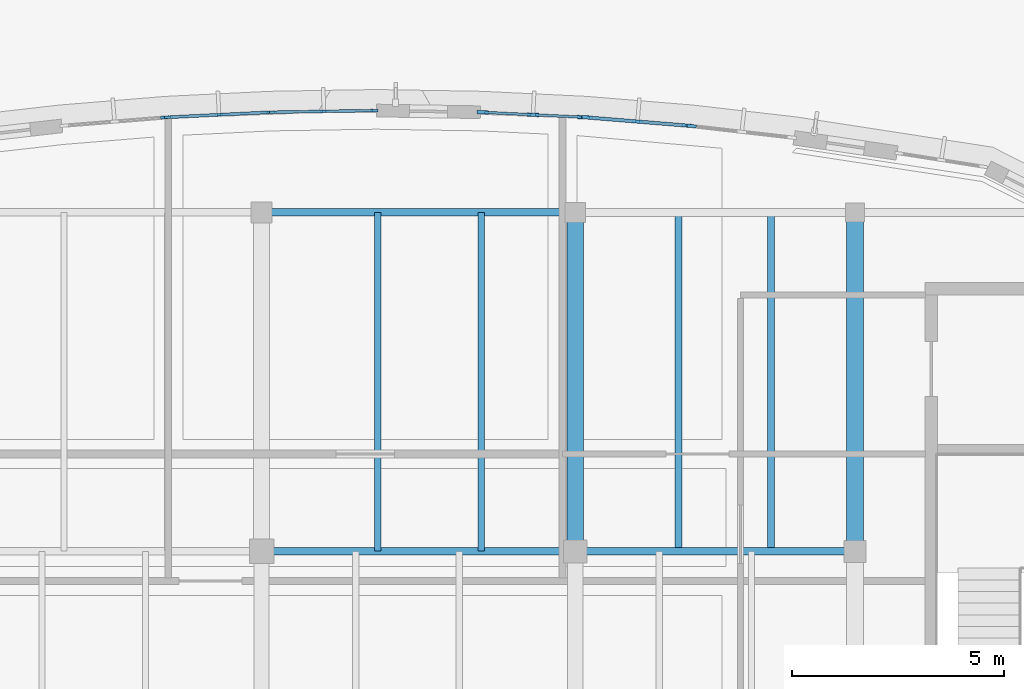
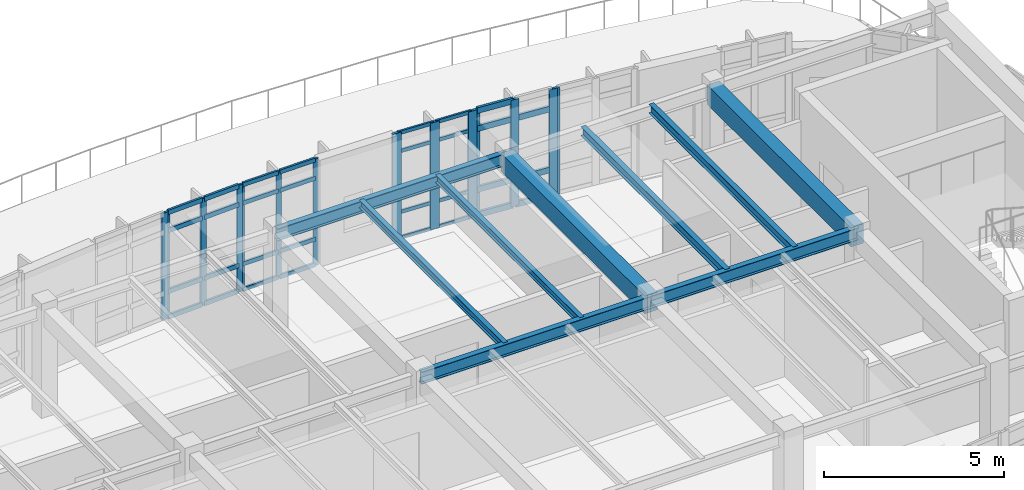
# One storey, part 31 of 111: 45 members, 9 beams, 6 elements without a shape of their own.
"""IFC4 building model written with IfcOpenShell, lengths in metres."""

import ifcopenshell
import ifcopenshell.guid

model = None  # the IFC model being written
_history = None  # IfcOwnerHistory: only IFC2X3 demands one
_inside = {}  # id of a spatial element -> (the spatial element, [elements in it])
_under = {}  # id of a project, library or spatial element -> (it, [spatial elements below it])
_declared = {}  # id of a project -> (the project, [libraries it declares])
_typed = {}  # id of a type object -> (the type object, [elements of that type])
_made_of = {}  # id of a material, layer set ... -> (it, [elements and type objects made of it])


def new_model(schema):
    """Start an empty IFC model of exactly this schema.

    Asked for "IFC4X3", IfcOpenShell would pick the latest addendum, in which some entities
    have other attributes; the version numbers below select the first issue.
    IFC2X3 requires an IfcOwnerHistory on every rooted entity: one is made here for all.
    """
    global model, _history
    if schema == "IFC4X3":
        model = ifcopenshell.file(schema_version=(4, 3, 0, 0))
    else:
        model = ifcopenshell.file(schema=schema)
    _inside.clear()
    _under.clear()
    _declared.clear()
    _typed.clear()
    _made_of.clear()
    _history = None
    if model.schema == "IFC2X3":
        org = make("IfcOrganization", Name="unknown")
        user = make(
            "IfcPersonAndOrganization",
            ThePerson=make("IfcPerson", FamilyName="unknown"),
            TheOrganization=org,
        )
        app = make(
            "IfcApplication",
            ApplicationDeveloper=org,
            Version="unknown",
            ApplicationFullName="unknown",
            ApplicationIdentifier="unknown",
        )
        _history = make(
            "IfcOwnerHistory",
            OwningUser=user,
            OwningApplication=app,
            ChangeAction="ADDED",
            CreationDate=0,
        )
    return model


def make(cls, **values):
    """One entity of the class cls with the attributes given. An attribute that is None is left unset."""
    return model.create_entity(
        cls, **{name: value for name, value in values.items() if value is not None}
    )


def rooted(cls, **values):
    """An entity with a GlobalId (a new one), such as an element, a storey or a relation."""
    return make(cls, GlobalId=ifcopenshell.guid.new(), OwnerHistory=_history, **values)


def si_unit(unit_type, name, prefix=None):
    """IfcSIUnit, for example si_unit("LENGTHUNIT", "METRE", prefix="MILLI")."""
    return make("IfcSIUnit", UnitType=unit_type, Prefix=prefix, Name=name)


def assignment(units):
    """IfcUnitAssignment: the units of a project."""
    return None if units is None else make("IfcUnitAssignment", Units=units)


def point(xyz):
    """IfcCartesianPoint."""
    return None if xyz is None else make("IfcCartesianPoint", Coordinates=xyz)


def direction(xyz):
    """IfcDirection."""
    return None if xyz is None else make("IfcDirection", DirectionRatios=xyz)


def frame(location, z_axis=None, x_axis=None):
    """IfcAxis2Placement3D, a coordinate frame: its origin and axes. An axis left out is left unset."""
    return make(
        "IfcAxis2Placement3D",
        Location=point(location),
        Axis=direction(z_axis),
        RefDirection=direction(x_axis),
    )


def frame_2d(location, x_axis=None):
    """IfcAxis2Placement2D, a coordinate frame in the plane: its origin and x axis."""
    return make(
        "IfcAxis2Placement2D", Location=point(location), RefDirection=direction(x_axis)
    )


def origin():
    """The frame at (0, 0, 0) with its axes left unset."""
    return frame((0.0, 0.0, 0.0))


def origin_2d():
    """The frame at (0, 0) in the plane with its x axis left unset."""
    return frame_2d((0.0, 0.0))


def place(relative_to, where):
    """IfcLocalPlacement: puts the frame where relative to a parent placement (None: the world)."""
    return make(
        "IfcLocalPlacement", PlacementRelTo=relative_to, RelativePlacement=where
    )


def context(
    kind, dimensions, precision=None, world=None, true_north=None, identifier=None
):
    """IfcGeometricRepresentationContext, for example the 3D "Model" context."""
    return make(
        "IfcGeometricRepresentationContext",
        ContextIdentifier=identifier,
        ContextType=kind,
        CoordinateSpaceDimension=dimensions,
        Precision=precision,
        WorldCoordinateSystem=world,
        TrueNorth=true_north,
    )


def subcontext(parent, identifier, kind, view, scale=None):
    """IfcGeometricRepresentationSubContext, for example "Body" below "Model"."""
    return make(
        "IfcGeometricRepresentationSubContext",
        ContextIdentifier=identifier,
        ContextType=kind,
        ParentContext=parent,
        TargetScale=scale,
        TargetView=view,
    )


def project(units=None, contexts=None):
    """IfcProject with its units and contexts."""
    return rooted(
        "IfcProject",
        Name="project",
        RepresentationContexts=contexts,
        UnitsInContext=assignment(units),
    )


def spatial(cls, under=None, at=None, **own):
    """A site, building, storey or space (cls), placed at a placement, below another one or the project."""
    s = rooted(cls, ObjectPlacement=at, **own)
    if under is not None:
        _under.setdefault(under.id(), (under, []))[1].append(s)
    return s


def profile(cls, at=None, kind="AREA", **sizes):
    """A parametric profile (cls). Its sizes go by their IFC names, for example OverallWidth=200.0."""
    return make(cls, ProfileType=kind, Position=at, **sizes)


def rectangle(**sizes):
    """IfcRectangleProfileDef."""
    return profile("IfcRectangleProfileDef", **sizes)


def i_section(**sizes):
    """IfcIShapeProfileDef."""
    return profile("IfcIShapeProfileDef", **sizes)


def extrude(swept, where, along, depth):
    """IfcExtrudedAreaSolid: the profile swept, set in the frame where, extruded along a direction by depth."""
    return make(
        "IfcExtrudedAreaSolid",
        SweptArea=swept,
        Position=where,
        ExtrudedDirection=direction(along),
        Depth=depth,
    )


def shape(context_of_items, identifier, shape_type, items):
    """IfcShapeRepresentation: the items that make up one representation, for example the "Body"."""
    return make(
        "IfcShapeRepresentation",
        ContextOfItems=context_of_items,
        RepresentationIdentifier=identifier,
        RepresentationType=shape_type,
        Items=items,
    )


def material(Name=None, Category=None):
    """IfcMaterial."""
    return make("IfcMaterial", Name=Name, Category=Category)


def material_profile(
    of_material, cross_section, Name=None, Category=None, Priority=None
):
    """IfcMaterialProfile: a cross section and its material."""
    return make(
        "IfcMaterialProfile",
        Name=Name,
        Material=of_material,
        Profile=cross_section,
        Priority=Priority,
        Category=Category,
    )


def profile_set(profiles, Name=None, composite=None):
    """IfcMaterialProfileSet."""
    return make(
        "IfcMaterialProfileSet",
        Name=Name,
        MaterialProfiles=profiles,
        CompositeProfile=composite,
    )


def made_of(thing, what):
    """Note that an element or type object is made of a material, layer set ...; save() writes the relation."""
    if what is not None:
        _made_of.setdefault(what.id(), (what, []))[1].append(thing)
    return thing


def type_object(cls, material=None, **own):
    """A type object (cls), such as IfcWallType, which elements share."""
    return made_of(rooted(cls, **own), material)


def element(
    cls,
    number,
    at=None,
    inside=None,
    cuts=None,
    type_object=None,
    material=None,
    context=None,
    identifier="Body",
    shape_type=None,
    held_by="IfcProductDefinitionShape",
    body=None,
    shapes=None,
    **own,
):
    """One element of the class cls, such as IfcWall. Its Tag is "e" and its number.

    at: its placement. inside: the storey or other place that contains it. cuts: it is an
    opening in that element (IfcRelVoidsElement). A single representation is given by context,
    identifier, shape_type and body (its items); several are given by shapes. held_by: the class
    of the entity that holds the representations. save() writes the other relations.
    """
    e = rooted(cls, Tag="e%d" % number, ObjectPlacement=at, **own)
    if body is not None:
        shapes = [shape(context, identifier, shape_type, body)]
    if shapes is not None:
        e.Representation = make(held_by, Representations=shapes)
    if inside is not None:
        _inside.setdefault(inside.id(), (inside, []))[1].append(e)
    if cuts is not None:
        rooted(
            "IfcRelVoidsElement", RelatingBuildingElement=cuts, RelatedOpeningElement=e
        )
    if type_object is not None:
        _typed.setdefault(type_object.id(), (type_object, []))[1].append(e)
    return made_of(e, material)


def aggregate(whole, parts):
    """IfcRelAggregates: a whole, such as a stair, and the parts it consists of."""
    return rooted("IfcRelAggregates", RelatingObject=whole, RelatedObjects=parts)


def save(model, path):
    """Write the relations noted so far, then the file.

    IfcRelAggregates (storeys below a building ...), IfcRelContainedInSpatialStructure (elements
    in a storey), IfcRelDefinesByType, IfcRelAssociatesMaterial and IfcRelDeclares: one each for
    every whole, place, type object, material and project.
    """
    for whole, parts in _under.values():
        aggregate(whole, parts)
    for where, things in _inside.values():
        rooted(
            "IfcRelContainedInSpatialStructure",
            RelatedElements=things,
            RelatingStructure=where,
        )
    for kind, things in _typed.values():
        rooted("IfcRelDefinesByType", RelatedObjects=things, RelatingType=kind)
    for what, things in _made_of.values():
        rooted("IfcRelAssociatesMaterial", RelatedObjects=things, RelatingMaterial=what)
    for by, libraries in _declared.values():
        rooted("IfcRelDeclares", RelatingContext=by, RelatedDefinitions=libraries)
    model.write(path)


model = new_model("IFC4")

# Units and contexts
model_context = context("Model", 3, precision=1e-05, world=origin(), true_north=direction((0.0, 1.0)))
body_context = subcontext(model_context, "Body", "Model", "MODEL_VIEW")
ifc_project = project(units=[si_unit("LENGTHUNIT", "METRE"), si_unit("AREAUNIT", "SQUARE_METRE"), si_unit("VOLUMEUNIT", "CUBIC_METRE"), si_unit("PLANEANGLEUNIT", "RADIAN"), si_unit("MASSUNIT", "GRAM", prefix="KILO")], contexts=[model_context])

# Site, building, storey
site_placement = place(None, origin())
site = spatial("IfcSite", under=ifc_project, at=site_placement, CompositionType="ELEMENT")
building_placement = place(site_placement, origin())
building = spatial("IfcBuilding", under=site, at=building_placement, Name="Corveleigh Park Community Centre", CompositionType="ELEMENT")
storey_placement = place(building_placement, frame((0.0, 0.0, 4.800048828125)))
storey = spatial("IfcBuildingStorey", under=building, at=storey_placement, Name="L01", CompositionType="ELEMENT", Elevation=4.800048828125)

# Beams
ifc_material_1 = material(Name="Concrete C40/50", Category="concrete")
ifc_material_profile_1 = material_profile(ifc_material_1, rectangle(XDim=0.39990234375, YDim=0.60009765625, at=origin_2d()), Name="RC-400x600", Category="concrete")
ifc_profile_set_1 = profile_set([ifc_material_profile_1], Name="Concrete C40/50")
beam_type_1 = type_object("IfcBeamType", Name="BM-RC-400x600", PredefinedType="BEAM", material=ifc_profile_set_1)
beam_1_placement = place(storey_placement, frame((94.199951171875, 18.804931640625, 3.35693359375), z_axis=(0.0, 1.0, 0.0), x_axis=(-1.0, 0.0, 0.0)))
element("IfcBeam", 1, at=beam_1_placement, inside=storey, type_object=beam_type_1, Name="V3 Girder Y", PredefinedType="BEAM", context=body_context, shape_type="SweptSolid", body=[
    extrude(rectangle(XDim=0.39990234375, YDim=0.60009765625, at=origin_2d()), origin(), (0.0, 0.0, 1.0), 7.989990234375),
])
ifc_material_profile_2 = material_profile(ifc_material_1, rectangle(XDim=0.39990234375, YDim=0.64990234375, at=origin_2d()), Name="RC-400x650", Category="concrete")
ifc_profile_set_2 = profile_set([ifc_material_profile_2], Name="Concrete C40/50")
beam_type_2 = type_object("IfcBeamType", Name="BM-RC-400x650", PredefinedType="BEAM", material=ifc_profile_set_2)
beam_2_placement = place(storey_placement, frame((100.800048828125, 18.804931640625, 3.33203125), z_axis=(0.0, 1.0, 0.0), x_axis=(-1.0, 0.0, 0.0)))
element("IfcBeam", 2, at=beam_2_placement, inside=storey, type_object=beam_type_2, Name="V3 Girder Y", PredefinedType="BEAM", context=body_context, shape_type="SweptSolid", body=[
    extrude(rectangle(XDim=0.39990234375, YDim=0.64990234375, at=origin_2d()), origin(), (0.0, 0.0, 1.0), 7.989990234375),
])
ifc_material_2 = material(Name="Steel S355", Category="steel")
ifc_material_profile_3 = material_profile(ifc_material_2, i_section(OverallWidth=0.147216796875, OverallDepth=0.259521484375, WebThickness=0.007080078125, FlangeThickness=0.0126953125, at=origin_2d()), Name="UKB 254x146x43", Category="steel")
ifc_profile_set_3 = profile_set([ifc_material_profile_3], Name="Steel S355")
beam_type_3 = type_object("IfcBeamType", Name="BM-STL-UKB254x43", PredefinedType="JOIST", material=ifc_profile_set_3)
for number, where, z_axis, x_axis, name in (
    (3, (89.5380859375, 18.804931640625, 3.527099609375), (0.0, 1.0, 0.0), (-1.0, 0.0, 0.0), "Secondary floor joist"),
    (4, (91.97998046875, 18.804931640625, 3.527099609375), (0.0, 1.0, 0.0), (-1.0, 0.0, 0.0), "Secondary floor joist"),
):
    element("IfcBeam", number, at=place(storey_placement, frame(where, z_axis=z_axis, x_axis=x_axis)), inside=storey, type_object=beam_type_3, Name=name, PredefinedType="JOIST", context=body_context, shape_type="SweptSolid", body=[
        extrude(i_section(OverallWidth=0.147216796875, OverallDepth=0.259521484375, WebThickness=0.007080078125, FlangeThickness=0.0126953125, at=origin_2d()), origin(), (0.0, 0.0, 1.0), 7.989990234375),
    ])
ifc_material_profile_4 = material_profile(ifc_material_2, i_section(OverallWidth=0.1650390625, OverallDepth=0.303466796875, WebThickness=0.006103515625, FlangeThickness=0.01025390625, at=origin_2d()), Name="UKB 305x165x40", Category="steel")
ifc_profile_set_4 = profile_set([ifc_material_profile_4], Name="Steel S355")
beam_type_4 = type_object("IfcBeamType", Name="BM-STL-UKB305x40", PredefinedType="JOIST", material=ifc_profile_set_4)
for number, where, z_axis, x_axis, name in (
    (5, (96.64208984375, 18.804931640625, 3.50537109375), (0.0, 1.0, 0.0), (-1.0, 0.0, 0.0), "Secondary floor joist"),
    (6, (98.820068359375, 18.804931640625, 3.50537109375), (0.0, 1.0, 0.0), (-1.0, 0.0, 0.0), "Secondary floor joist"),
):
    element("IfcBeam", number, at=place(storey_placement, frame(where, z_axis=z_axis, x_axis=x_axis)), inside=storey, type_object=beam_type_4, Name=name, PredefinedType="JOIST", context=body_context, shape_type="SweptSolid", body=[
        extrude(i_section(OverallWidth=0.1650390625, OverallDepth=0.303466796875, WebThickness=0.006103515625, FlangeThickness=0.01025390625, at=origin_2d()), origin(), (0.0, 0.0, 1.0), 7.989990234375),
    ])
ifc_material_profile_5 = material_profile(ifc_material_2, i_section(OverallWidth=0.1787109375, OverallDepth=0.409423828125, WebThickness=0.0087890625, FlangeThickness=0.014404296875, at=origin_2d()), Name="UKB 406x178x67", Category="steel")
ifc_profile_set_5 = profile_set([ifc_material_profile_5], Name="Steel S355")
beam_type_5 = type_object("IfcBeamType", Name="BM-STL-UKB406x67", PredefinedType="BEAM", material=ifc_profile_set_5)
beam_3_placement = place(storey_placement, frame((86.804931640625, 18.800048828125, 3.4521484375), z_axis=(1.0, 0.0, 0.0), x_axis=(0.0, 1.0, 0.0)))
element("IfcBeam", 7, at=beam_3_placement, inside=storey, type_object=beam_type_5, Name="V3 Girder X", PredefinedType="BEAM", context=body_context, shape_type="SweptSolid", body=[
    extrude(i_section(OverallWidth=0.1787109375, OverallDepth=0.409423828125, WebThickness=0.0087890625, FlangeThickness=0.014404296875, at=origin_2d()), origin(), (0.0, 0.0, 1.0), 7.39013671875),
])
ifc_material_profile_6 = material_profile(ifc_material_2, i_section(OverallWidth=0.179443359375, OverallDepth=0.412841796875, WebThickness=0.009521484375, FlangeThickness=0.01611328125, at=origin_2d()), Name="UKB 406x178x74", Category="steel")
ifc_profile_set_6 = profile_set([ifc_material_profile_6], Name="Steel S355")
beam_type_6 = type_object("IfcBeamType", Name="BM-STL-UKB406x74", PredefinedType="BEAM", material=ifc_profile_set_6)
beam_4_placement = place(storey_placement, frame((94.205078125, 18.800048828125, 3.450439453125), z_axis=(1.0, 0.0, 0.0), x_axis=(0.0, 1.0, 0.0)))
element("IfcBeam", 8, at=beam_4_placement, inside=storey, type_object=beam_type_6, Name="V3 Girder X", PredefinedType="BEAM", context=body_context, shape_type="SweptSolid", body=[
    extrude(i_section(OverallWidth=0.179443359375, OverallDepth=0.412841796875, WebThickness=0.009521484375, FlangeThickness=0.01611328125, at=origin_2d()), origin(), (0.0, 0.0, 1.0), 6.58984375),
])
beam_5_placement = place(storey_placement, frame((86.804931640625, 26.800048828125, 3.450439453125), z_axis=(1.0, 0.0, 0.0), x_axis=(0.0, 1.0, 0.0)))
element("IfcBeam", 9, at=beam_5_placement, inside=storey, type_object=beam_type_6, Name="V3 Girder X", PredefinedType="BEAM", context=body_context, shape_type="SweptSolid", body=[
    extrude(i_section(OverallWidth=0.179443359375, OverallDepth=0.412841796875, WebThickness=0.009521484375, FlangeThickness=0.01611328125, at=origin_2d()), origin(), (0.0, 0.0, 1.0), 7.39013671875),
])

# Curtain wall, members
ifc_material_3 = material(Name="Anodised aluminium 6063-T6", Category="aluminium")
curtain_wall_type = type_object("IfcCurtainWallType", Name="CW-SYS-V3-UPP", PredefinedType="NOTDEFINED", material=ifc_material_3)
curtain_wall_1_placement = place(storey_placement, origin())
curtain_wall_1 = element("IfcCurtainWall", 10, at=curtain_wall_1_placement, inside=storey, type_object=curtain_wall_type, Name="V3 L01 Curtain Wall 247", PredefinedType="NOTDEFINED")
ifc_material_profile_7 = material_profile(ifc_material_3, rectangle(XDim=0.06005859375, YDim=0.159912109375, at=origin_2d()), Name="ALU-M60x160", Category="aluminium")
ifc_profile_set_7 = profile_set([ifc_material_profile_7], Name="Anodised aluminium 6063-T6")
member_type_1 = type_object("IfcMemberType", Name="CWM-60x160", PredefinedType="MULLION", material=ifc_profile_set_7)
member_1_placement = place(storey_placement, frame((87.069091796875, 29.16357421875, 0.0), z_axis=(0.0, 0.0, 1.0), x_axis=(-0.016311043488, 0.999866966081, 0.0)))
member_1 = element("IfcMember", 11, at=member_1_placement, type_object=member_type_1, Name="CW06 mullion 1", PredefinedType="MULLION", context=body_context, shape_type="SweptSolid", body=[
    extrude(rectangle(XDim=0.06005859375, YDim=0.159912109375, at=origin_2d()), origin(), (0.0, 0.0, 1.0), 3.612060546875),
])
member_2_placement = place(storey_placement, frame((88.264892578125, 29.18310546875, 0.0), z_axis=(0.0, 0.0, 1.0), x_axis=(-0.016311043488, 0.999866966081, 0.0)))
member_2 = element("IfcMember", 12, at=member_2_placement, type_object=member_type_1, Name="CW06 mullion 2", PredefinedType="MULLION", context=body_context, shape_type="SweptSolid", body=[
    extrude(rectangle(XDim=0.06005859375, YDim=0.159912109375, at=origin_2d()), origin(), (0.0, 0.0, 1.0), 3.612060546875),
])
member_3_placement = place(storey_placement, frame((89.4609375, 29.202392578125, 0.0), z_axis=(0.0, 0.0, 1.0), x_axis=(-0.016311043488, 0.999866966081, 0.0)))
member_3 = element("IfcMember", 13, at=member_3_placement, type_object=member_type_1, Name="CW06 mullion 3", PredefinedType="MULLION", context=body_context, shape_type="SweptSolid", body=[
    extrude(rectangle(XDim=0.06005859375, YDim=0.159912109375, at=origin_2d()), origin(), (0.0, 0.0, 1.0), 3.612060546875),
])

curtain_wall_2_placement = place(storey_placement, origin())
curtain_wall_2 = element("IfcCurtainWall", 14, at=curtain_wall_2_placement, inside=storey, type_object=curtain_wall_type, Name="V3 L01 Curtain Wall 248", PredefinedType="NOTDEFINED")
ifc_material_profile_8 = material_profile(ifc_material_3, rectangle(XDim=0.06494140625, YDim=0.179931640625, at=origin_2d()), Name="ALU-M65x180", Category="aluminium")
ifc_profile_set_8 = profile_set([ifc_material_profile_8], Name="Anodised aluminium 6063-T6")
member_type_2 = type_object("IfcMemberType", Name="CWM-65x180", PredefinedType="MULLION", material=ifc_profile_set_8)
member_4_placement = place(storey_placement, frame((84.603515625, 29.044677734375, 0.0), z_axis=(0.0, 0.0, 1.0), x_axis=(-0.048920946301, 0.998802653687, 0.0)))
member_4 = element("IfcMember", 15, at=member_4_placement, type_object=member_type_2, Name="CW06 mullion 1", PredefinedType="MULLION", context=body_context, shape_type="SweptSolid", body=[
    extrude(rectangle(XDim=0.06494140625, YDim=0.179931640625, at=origin_2d()), origin(), (0.0, 0.0, 1.0), 3.612060546875),
])
member_5_placement = place(storey_placement, frame((85.7958984375, 29.10302734375, 0.0), z_axis=(0.0, 0.0, 1.0), x_axis=(-0.048920946301, 0.998802653687, 0.0)))
member_5 = element("IfcMember", 16, at=member_5_placement, type_object=member_type_2, Name="CW06 mullion 2", PredefinedType="MULLION", context=body_context, shape_type="SweptSolid", body=[
    extrude(rectangle(XDim=0.06494140625, YDim=0.179931640625, at=origin_2d()), origin(), (0.0, 0.0, 1.0), 3.612060546875),
])
member_6_placement = place(storey_placement, frame((86.988525390625, 29.161376953125, 0.0), z_axis=(0.0, 0.0, 1.0), x_axis=(-0.048920946301, 0.998802653687, 0.0)))
member_6 = element("IfcMember", 17, at=member_6_placement, type_object=member_type_2, Name="CW06 mullion 3", PredefinedType="MULLION", context=body_context, shape_type="SweptSolid", body=[
    extrude(rectangle(XDim=0.06494140625, YDim=0.179931640625, at=origin_2d()), origin(), (0.0, 0.0, 1.0), 3.612060546875),
])

# Curtain wall, member
curtain_wall_3_placement = place(storey_placement, origin())
curtain_wall_3 = element("IfcCurtainWall", 18, at=curtain_wall_3_placement, inside=storey, type_object=curtain_wall_type, Name="V3 L01 Curtain Wall 249", PredefinedType="NOTDEFINED")
ifc_material_profile_9 = material_profile(ifc_material_3, rectangle(XDim=0.070068359375, YDim=0.199951171875, at=origin_2d()), Name="ALU-M70x200", Category="aluminium")
ifc_profile_set_9 = profile_set([ifc_material_profile_9], Name="Anodised aluminium 6063-T6")
member_type_3 = type_object("IfcMemberType", Name="CWM-70x200", PredefinedType="MULLION", material=ifc_profile_set_9)
member_7_placement = place(storey_placement, frame((84.51806640625, 29.0390625, 0.0), z_axis=(0.0, 0.0, 1.0), x_axis=(-0.081122341986, 0.996704151507, 0.0)))
member_7 = element("IfcMember", 19, at=member_7_placement, type_object=member_type_3, Name="CW06 mullion 3", PredefinedType="MULLION", context=body_context, shape_type="SweptSolid", body=[
    extrude(rectangle(XDim=0.070068359375, YDim=0.199951171875, at=origin_2d()), origin(), (0.0, 0.0, 1.0), 3.612060546875),
])
aggregate(curtain_wall_3, [member_7])

curtain_wall_4_placement = place(storey_placement, origin())
curtain_wall_4 = element("IfcCurtainWall", 20, at=curtain_wall_4_placement, inside=storey, type_object=curtain_wall_type, Name="V3 L01 Curtain Wall 244", PredefinedType="NOTDEFINED")
ifc_material_profile_10 = material_profile(ifc_material_3, rectangle(XDim=0.074951171875, YDim=0.219970703125, at=origin_2d()), Name="ALU-M75x220", Category="aluminium")
ifc_profile_set_10 = profile_set([ifc_material_profile_10], Name="Anodised aluminium 6063-T6")
member_type_4 = type_object("IfcMemberType", Name="CWM-75x220", PredefinedType="MULLION", material=ifc_profile_set_10)
member_8_placement = place(storey_placement, frame((96.947265625, 28.836669921875, 0.0), z_axis=(0.0, 0.0, 1.0), x_axis=(0.113742050835, 0.99351031493, 0.0)))
member_8 = element("IfcMember", 21, at=member_8_placement, type_object=member_type_4, Name="CW06 mullion 1", PredefinedType="MULLION", context=body_context, shape_type="SweptSolid", body=[
    extrude(rectangle(XDim=0.074951171875, YDim=0.219970703125, at=origin_2d()), origin(), (0.0, 0.0, 1.0), 3.612060546875),
])
aggregate(curtain_wall_4, [member_8])

# Curtain wall, members
curtain_wall_5_placement = place(storey_placement, origin())
curtain_wall_5 = element("IfcCurtainWall", 22, at=curtain_wall_5_placement, inside=storey, type_object=curtain_wall_type, Name="V3 L01 Curtain Wall 245", PredefinedType="NOTDEFINED")
ifc_material_profile_11 = material_profile(ifc_material_3, rectangle(XDim=0.080078125, YDim=0.25, at=origin_2d()), Name="ALU-M80x250", Category="aluminium")
ifc_profile_set_11 = profile_set([ifc_material_profile_11], Name="Anodised aluminium 6063-T6")
member_type_5 = type_object("IfcMemberType", Name="CWM-80x250", PredefinedType="MULLION", material=ifc_profile_set_11)
member_9_placement = place(storey_placement, frame((94.48681640625, 29.038818359375, 0.0), z_axis=(0.0, 0.0, 1.0), x_axis=(0.081122341986, 0.996704151507, 0.0)))
member_9 = element("IfcMember", 23, at=member_9_placement, type_object=member_type_5, Name="CW06 mullion 1", PredefinedType="MULLION", context=body_context, shape_type="SweptSolid", body=[
    extrude(rectangle(XDim=0.080078125, YDim=0.25, at=origin_2d()), origin(), (0.0, 0.0, 1.0), 3.612060546875),
])
member_10_placement = place(storey_placement, frame((95.66943359375, 28.9423828125, 0.0), z_axis=(0.0, 0.0, 1.0), x_axis=(0.081122341986, 0.996704151507, 0.0)))
member_10 = element("IfcMember", 24, at=member_10_placement, type_object=member_type_5, Name="CW06 mullion 2", PredefinedType="MULLION", context=body_context, shape_type="SweptSolid", body=[
    extrude(rectangle(XDim=0.080078125, YDim=0.25, at=origin_2d()), origin(), (0.0, 0.0, 1.0), 3.612060546875),
])
member_11_placement = place(storey_placement, frame((96.85205078125, 28.84619140625, 0.0), z_axis=(0.0, 0.0, 1.0), x_axis=(0.081122341986, 0.996704151507, 0.0)))
member_11 = element("IfcMember", 25, at=member_11_placement, type_object=member_type_5, Name="CW06 mullion 3", PredefinedType="MULLION", context=body_context, shape_type="SweptSolid", body=[
    extrude(rectangle(XDim=0.080078125, YDim=0.25, at=origin_2d()), origin(), (0.0, 0.0, 1.0), 3.612060546875),
])

curtain_wall_6_placement = place(storey_placement, origin())
curtain_wall_6 = element("IfcCurtainWall", 26, at=curtain_wall_6_placement, inside=storey, type_object=curtain_wall_type, Name="V3 L01 Curtain Wall 246", PredefinedType="NOTDEFINED")
ifc_material_profile_12 = material_profile(ifc_material_3, rectangle(XDim=0.0849609375, YDim=0.27490234375, at=origin_2d()), Name="ALU-M85x275", Category="aluminium")
ifc_profile_set_12 = profile_set([ifc_material_profile_12], Name="Anodised aluminium 6063-T6")
member_type_6 = type_object("IfcMemberType", Name="CWM-85x275", PredefinedType="MULLION", material=ifc_profile_set_12)
member_12_placement = place(storey_placement, frame((92.021484375, 29.160888671875, 0.0), z_axis=(0.0, 0.0, 1.0), x_axis=(0.048920946301, 0.998802653687, 0.0)))
member_12 = element("IfcMember", 27, at=member_12_placement, type_object=member_type_6, Name="CW06 mullion 1", PredefinedType="MULLION", context=body_context, shape_type="SweptSolid", body=[
    extrude(rectangle(XDim=0.0849609375, YDim=0.27490234375, at=origin_2d()), origin(), (0.0, 0.0, 1.0), 3.612060546875),
])
member_13_placement = place(storey_placement, frame((93.2041015625, 29.10302734375, 0.0), z_axis=(0.0, 0.0, 1.0), x_axis=(0.048920946301, 0.998802653687, 0.0)))
member_13 = element("IfcMember", 28, at=member_13_placement, type_object=member_type_6, Name="CW06 mullion 2", PredefinedType="MULLION", context=body_context, shape_type="SweptSolid", body=[
    extrude(rectangle(XDim=0.0849609375, YDim=0.27490234375, at=origin_2d()), origin(), (0.0, 0.0, 1.0), 3.612060546875),
])
member_14_placement = place(storey_placement, frame((94.386474609375, 29.045166015625, 0.0), z_axis=(0.0, 0.0, 1.0), x_axis=(0.048920946301, 0.998802653687, 0.0)))
member_14 = element("IfcMember", 29, at=member_14_placement, type_object=member_type_6, Name="CW06 mullion 3", PredefinedType="MULLION", context=body_context, shape_type="SweptSolid", body=[
    extrude(rectangle(XDim=0.0849609375, YDim=0.27490234375, at=origin_2d()), origin(), (0.0, 0.0, 1.0), 3.612060546875),
])
ifc_material_profile_13 = material_profile(ifc_material_3, rectangle(XDim=0.06005859375, YDim=0.1201171875, at=origin_2d()), Name="ALU-T60x120", Category="aluminium")
ifc_profile_set_13 = profile_set([ifc_material_profile_13], Name="Anodised aluminium 6063-T6")
member_type_7 = type_object("IfcMemberType", Name="CWT-60x120", PredefinedType="USERDEFINED", material=ifc_profile_set_13)
member_15_placement = place(storey_placement, frame((92.06396484375, 29.158935546875, 0.030029296875), z_axis=(0.998794087459, -0.049095527876, 0.0), x_axis=(0.049095527876, 0.998794087459, 0.0)))
member_15 = element("IfcMember", 30, at=member_15_placement, type_object=member_type_7, Name="CW06 transom 1.1", ObjectType="TRANSOM", PredefinedType="USERDEFINED", context=body_context, shape_type="SweptSolid", body=[
    extrude(rectangle(XDim=0.06005859375, YDim=0.1201171875, at=origin_2d()), origin(), (0.0, 0.0, 1.0), 1.098876953125),
])
member_16_placement = place(storey_placement, frame((92.06396484375, 29.158935546875, 0.89990234375), z_axis=(0.998794087459, -0.049095527876, 0.0), x_axis=(0.049095527876, 0.998794087459, 0.0)))
member_16 = element("IfcMember", 31, at=member_16_placement, type_object=member_type_7, Name="CW06 transom 1.2", ObjectType="TRANSOM", PredefinedType="USERDEFINED", context=body_context, shape_type="SweptSolid", body=[
    extrude(rectangle(XDim=0.06005859375, YDim=0.1201171875, at=origin_2d()), origin(), (0.0, 0.0, 1.0), 1.098876953125),
])
member_17_placement = place(storey_placement, frame((92.06396484375, 29.158935546875, 2.9619140625), z_axis=(0.998794087459, -0.049095527876, 0.0), x_axis=(0.049095527876, 0.998794087459, 0.0)))
member_17 = element("IfcMember", 32, at=member_17_placement, type_object=member_type_7, Name="CW06 transom 1.3", ObjectType="TRANSOM", PredefinedType="USERDEFINED", context=body_context, shape_type="SweptSolid", body=[
    extrude(rectangle(XDim=0.06005859375, YDim=0.1201171875, at=origin_2d()), origin(), (0.0, 0.0, 1.0), 1.098876953125),
])
member_18_placement = place(storey_placement, frame((92.06396484375, 29.158935546875, 3.58203125), z_axis=(0.998794087459, -0.049095527876, 0.0), x_axis=(0.049095527876, 0.998794087459, 0.0)))
member_18 = element("IfcMember", 33, at=member_18_placement, type_object=member_type_7, Name="CW06 transom 1.4", ObjectType="TRANSOM", PredefinedType="USERDEFINED", context=body_context, shape_type="SweptSolid", body=[
    extrude(rectangle(XDim=0.06005859375, YDim=0.1201171875, at=origin_2d()), origin(), (0.0, 0.0, 1.0), 1.098876953125),
])
member_19_placement = place(storey_placement, frame((93.246337890625, 29.100830078125, 0.030029296875), z_axis=(0.998804956493, -0.048873908013, 0.0), x_axis=(0.048873908013, 0.998804956493, 0.0)))
member_19 = element("IfcMember", 34, at=member_19_placement, type_object=member_type_7, Name="CW06 transom 2.1", ObjectType="TRANSOM", PredefinedType="USERDEFINED", context=body_context, shape_type="SweptSolid", body=[
    extrude(rectangle(XDim=0.06005859375, YDim=0.1201171875, at=origin_2d()), origin(), (0.0, 0.0, 1.0), 1.098876953125),
])
member_20_placement = place(storey_placement, frame((93.246337890625, 29.100830078125, 0.89990234375), z_axis=(0.998804956493, -0.048873908013, 0.0), x_axis=(0.048873908013, 0.998804956493, 0.0)))
member_20 = element("IfcMember", 35, at=member_20_placement, type_object=member_type_7, Name="CW06 transom 2.2", ObjectType="TRANSOM", PredefinedType="USERDEFINED", context=body_context, shape_type="SweptSolid", body=[
    extrude(rectangle(XDim=0.06005859375, YDim=0.1201171875, at=origin_2d()), origin(), (0.0, 0.0, 1.0), 1.098876953125),
])
member_21_placement = place(storey_placement, frame((93.246337890625, 29.100830078125, 2.9619140625), z_axis=(0.998804956493, -0.048873908013, 0.0), x_axis=(0.048873908013, 0.998804956493, 0.0)))
member_21 = element("IfcMember", 36, at=member_21_placement, type_object=member_type_7, Name="CW06 transom 2.3", ObjectType="TRANSOM", PredefinedType="USERDEFINED", context=body_context, shape_type="SweptSolid", body=[
    extrude(rectangle(XDim=0.06005859375, YDim=0.1201171875, at=origin_2d()), origin(), (0.0, 0.0, 1.0), 1.098876953125),
])
member_22_placement = place(storey_placement, frame((93.246337890625, 29.100830078125, 3.58203125), z_axis=(0.998804956493, -0.048873908013, 0.0), x_axis=(0.048873908013, 0.998804956493, 0.0)))
member_22 = element("IfcMember", 37, at=member_22_placement, type_object=member_type_7, Name="CW06 transom 2.4", ObjectType="TRANSOM", PredefinedType="USERDEFINED", context=body_context, shape_type="SweptSolid", body=[
    extrude(rectangle(XDim=0.06005859375, YDim=0.1201171875, at=origin_2d()), origin(), (0.0, 0.0, 1.0), 1.098876953125),
])
aggregate(curtain_wall_6, [member_12, member_13, member_14, member_15, member_16, member_17, member_18, member_19, member_20, member_21, member_22])

# Member
ifc_material_profile_14 = material_profile(ifc_material_3, rectangle(XDim=0.06494140625, YDim=0.139892578125, at=origin_2d()), Name="ALU-T65x140", Category="aluminium")
ifc_profile_set_14 = profile_set([ifc_material_profile_14], Name="Anodised aluminium 6063-T6")
member_type_8 = type_object("IfcMemberType", Name="CWT-65x140", PredefinedType="USERDEFINED", material=ifc_profile_set_14)
member_23_placement = place(storey_placement, frame((87.098876953125, 29.1640625, 0.032470703125), z_axis=(0.99986669158, 0.016327861745, 0.0), x_axis=(-0.016327861745, 0.99986669158, 0.0)))
member_23 = element("IfcMember", 38, at=member_23_placement, type_object=member_type_8, Name="CW06 transom 1.1", ObjectType="TRANSOM", PredefinedType="USERDEFINED", context=body_context, shape_type="SweptSolid", body=[
    extrude(rectangle(XDim=0.06494140625, YDim=0.139892578125, at=origin_2d()), origin(), (0.0, 0.0, 1.0), 1.136474609375),
])

member_24_placement = place(storey_placement, frame((87.098876953125, 29.1640625, 0.89990234375), z_axis=(0.99986669158, 0.016327861745, 0.0), x_axis=(-0.016327861745, 0.99986669158, 0.0)))
member_24 = element("IfcMember", 39, at=member_24_placement, type_object=member_type_8, Name="CW06 transom 1.2", ObjectType="TRANSOM", PredefinedType="USERDEFINED", context=body_context, shape_type="SweptSolid", body=[
    extrude(rectangle(XDim=0.06494140625, YDim=0.139892578125, at=origin_2d()), origin(), (0.0, 0.0, 1.0), 1.136474609375),
])

member_25_placement = place(storey_placement, frame((87.098876953125, 29.1640625, 2.9619140625), z_axis=(0.99986669158, 0.016327861745, 0.0), x_axis=(-0.016327861745, 0.99986669158, 0.0)))
member_25 = element("IfcMember", 40, at=member_25_placement, type_object=member_type_8, Name="CW06 transom 1.3", ObjectType="TRANSOM", PredefinedType="USERDEFINED", context=body_context, shape_type="SweptSolid", body=[
    extrude(rectangle(XDim=0.06494140625, YDim=0.139892578125, at=origin_2d()), origin(), (0.0, 0.0, 1.0), 1.136474609375),
])

member_26_placement = place(storey_placement, frame((87.098876953125, 29.1640625, 3.579345703125), z_axis=(0.99986669158, 0.016327861745, 0.0), x_axis=(-0.016327861745, 0.99986669158, 0.0)))
member_26 = element("IfcMember", 41, at=member_26_placement, type_object=member_type_8, Name="CW06 transom 1.4", ObjectType="TRANSOM", PredefinedType="USERDEFINED", context=body_context, shape_type="SweptSolid", body=[
    extrude(rectangle(XDim=0.06494140625, YDim=0.139892578125, at=origin_2d()), origin(), (0.0, 0.0, 1.0), 1.136474609375),
])

member_27_placement = place(storey_placement, frame((88.294921875, 29.18359375, 0.032470703125), z_axis=(0.99987012014, 0.016116539654, 0.0), x_axis=(-0.016116539654, 0.99987012014, 0.0)))
member_27 = element("IfcMember", 42, at=member_27_placement, type_object=member_type_8, Name="CW06 transom 2.1", ObjectType="TRANSOM", PredefinedType="USERDEFINED", context=body_context, shape_type="SweptSolid", body=[
    extrude(rectangle(XDim=0.06494140625, YDim=0.139892578125, at=origin_2d()), origin(), (0.0, 0.0, 1.0), 1.13623046875),
])

member_28_placement = place(storey_placement, frame((88.294921875, 29.18359375, 0.89990234375), z_axis=(0.99987012014, 0.016116539654, 0.0), x_axis=(-0.016116539654, 0.99987012014, 0.0)))
member_28 = element("IfcMember", 43, at=member_28_placement, type_object=member_type_8, Name="CW06 transom 2.2", ObjectType="TRANSOM", PredefinedType="USERDEFINED", context=body_context, shape_type="SweptSolid", body=[
    extrude(rectangle(XDim=0.06494140625, YDim=0.139892578125, at=origin_2d()), origin(), (0.0, 0.0, 1.0), 1.13623046875),
])

member_29_placement = place(storey_placement, frame((88.294921875, 29.18359375, 2.9619140625), z_axis=(0.99987012014, 0.016116539654, 0.0), x_axis=(-0.016116539654, 0.99987012014, 0.0)))
member_29 = element("IfcMember", 44, at=member_29_placement, type_object=member_type_8, Name="CW06 transom 2.3", ObjectType="TRANSOM", PredefinedType="USERDEFINED", context=body_context, shape_type="SweptSolid", body=[
    extrude(rectangle(XDim=0.06494140625, YDim=0.139892578125, at=origin_2d()), origin(), (0.0, 0.0, 1.0), 1.13623046875),
])

member_30_placement = place(storey_placement, frame((88.294921875, 29.18359375, 3.579345703125), z_axis=(0.99987012014, 0.016116539654, 0.0), x_axis=(-0.016116539654, 0.99987012014, 0.0)))
member_30 = element("IfcMember", 45, at=member_30_placement, type_object=member_type_8, Name="CW06 transom 2.4", ObjectType="TRANSOM", PredefinedType="USERDEFINED", context=body_context, shape_type="SweptSolid", body=[
    extrude(rectangle(XDim=0.06494140625, YDim=0.139892578125, at=origin_2d()), origin(), (0.0, 0.0, 1.0), 1.13623046875),
])

aggregate(curtain_wall_1, [member_1, member_2, member_3, member_23, member_24, member_25, member_26, member_27, member_28, member_29, member_30])

ifc_material_profile_15 = material_profile(ifc_material_3, rectangle(XDim=0.070068359375, YDim=0.155029296875, at=origin_2d()), Name="ALU-T70x155", Category="aluminium")
ifc_profile_set_15 = profile_set([ifc_material_profile_15], Name="Anodised aluminium 6063-T6")
member_type_9 = type_object("IfcMemberType", Name="CWT-70x155", PredefinedType="USERDEFINED", material=ifc_profile_set_15)
member_31_placement = place(storey_placement, frame((84.635986328125, 29.046142578125, 0.034912109375), z_axis=(0.9988046371, 0.048880434817, 0.0), x_axis=(-0.048880434817, 0.9988046371, 0.0)))
member_31 = element("IfcMember", 46, at=member_31_placement, type_object=member_type_9, Name="CW06 transom 1.1", ObjectType="TRANSOM", PredefinedType="USERDEFINED", context=body_context, shape_type="SweptSolid", body=[
    extrude(rectangle(XDim=0.070068359375, YDim=0.155029296875, at=origin_2d()), origin(), (0.0, 0.0, 1.0), 1.12890625),
])

member_32_placement = place(storey_placement, frame((84.635986328125, 29.046142578125, 0.89990234375), z_axis=(0.9988046371, 0.048880434817, 0.0), x_axis=(-0.048880434817, 0.9988046371, 0.0)))
member_32 = element("IfcMember", 47, at=member_32_placement, type_object=member_type_9, Name="CW06 transom 1.2", ObjectType="TRANSOM", PredefinedType="USERDEFINED", context=body_context, shape_type="SweptSolid", body=[
    extrude(rectangle(XDim=0.070068359375, YDim=0.155029296875, at=origin_2d()), origin(), (0.0, 0.0, 1.0), 1.12890625),
])

member_33_placement = place(storey_placement, frame((84.635986328125, 29.046142578125, 2.9619140625), z_axis=(0.9988046371, 0.048880434817, 0.0), x_axis=(-0.048880434817, 0.9988046371, 0.0)))
member_33 = element("IfcMember", 48, at=member_33_placement, type_object=member_type_9, Name="CW06 transom 1.3", ObjectType="TRANSOM", PredefinedType="USERDEFINED", context=body_context, shape_type="SweptSolid", body=[
    extrude(rectangle(XDim=0.070068359375, YDim=0.155029296875, at=origin_2d()), origin(), (0.0, 0.0, 1.0), 1.12890625),
])

member_34_placement = place(storey_placement, frame((84.635986328125, 29.046142578125, 3.576904296875), z_axis=(0.9988046371, 0.048880434817, 0.0), x_axis=(-0.048880434817, 0.9988046371, 0.0)))
member_34 = element("IfcMember", 49, at=member_34_placement, type_object=member_type_9, Name="CW06 transom 1.4", ObjectType="TRANSOM", PredefinedType="USERDEFINED", context=body_context, shape_type="SweptSolid", body=[
    extrude(rectangle(XDim=0.070068359375, YDim=0.155029296875, at=origin_2d()), origin(), (0.0, 0.0, 1.0), 1.12890625),
])

member_35_placement = place(storey_placement, frame((85.828369140625, 29.1044921875, 0.034912109375), z_axis=(0.998794575601, 0.04908559616, 0.0), x_axis=(-0.04908559616, 0.998794575601, 0.0)))
member_35 = element("IfcMember", 50, at=member_35_placement, type_object=member_type_9, Name="CW06 transom 2.1", ObjectType="TRANSOM", PredefinedType="USERDEFINED", context=body_context, shape_type="SweptSolid", body=[
    extrude(rectangle(XDim=0.070068359375, YDim=0.155029296875, at=origin_2d()), origin(), (0.0, 0.0, 1.0), 1.129150390625),
])

member_36_placement = place(storey_placement, frame((85.828369140625, 29.1044921875, 0.89990234375), z_axis=(0.998794575601, 0.04908559616, 0.0), x_axis=(-0.04908559616, 0.998794575601, 0.0)))
member_36 = element("IfcMember", 51, at=member_36_placement, type_object=member_type_9, Name="CW06 transom 2.2", ObjectType="TRANSOM", PredefinedType="USERDEFINED", context=body_context, shape_type="SweptSolid", body=[
    extrude(rectangle(XDim=0.070068359375, YDim=0.155029296875, at=origin_2d()), origin(), (0.0, 0.0, 1.0), 1.129150390625),
])

member_37_placement = place(storey_placement, frame((85.828369140625, 29.1044921875, 2.9619140625), z_axis=(0.998794575601, 0.04908559616, 0.0), x_axis=(-0.04908559616, 0.998794575601, 0.0)))
member_37 = element("IfcMember", 52, at=member_37_placement, type_object=member_type_9, Name="CW06 transom 2.3", ObjectType="TRANSOM", PredefinedType="USERDEFINED", context=body_context, shape_type="SweptSolid", body=[
    extrude(rectangle(XDim=0.070068359375, YDim=0.155029296875, at=origin_2d()), origin(), (0.0, 0.0, 1.0), 1.129150390625),
])

member_38_placement = place(storey_placement, frame((85.828369140625, 29.1044921875, 3.576904296875), z_axis=(0.998794575601, 0.04908559616, 0.0), x_axis=(-0.04908559616, 0.998794575601, 0.0)))
member_38 = element("IfcMember", 53, at=member_38_placement, type_object=member_type_9, Name="CW06 transom 2.4", ObjectType="TRANSOM", PredefinedType="USERDEFINED", context=body_context, shape_type="SweptSolid", body=[
    extrude(rectangle(XDim=0.070068359375, YDim=0.155029296875, at=origin_2d()), origin(), (0.0, 0.0, 1.0), 1.129150390625),
])

aggregate(curtain_wall_2, [member_4, member_5, member_6, member_31, member_32, member_33, member_34, member_35, member_36, member_37, member_38])

ifc_material_profile_16 = material_profile(ifc_material_3, rectangle(XDim=0.080078125, YDim=0.195068359375, at=origin_2d()), Name="ALU-T80x195", Category="aluminium")
ifc_profile_set_16 = profile_set([ifc_material_profile_16], Name="Anodised aluminium 6063-T6")
member_type_10 = type_object("IfcMemberType", Name="CWT-80x195", PredefinedType="USERDEFINED", material=ifc_profile_set_16)
member_39_placement = place(storey_placement, frame((94.52685546875, 29.035400390625, 0.0400390625), z_axis=(0.996715583413, -0.080981762035, 0.0), x_axis=(0.080981762035, 0.996715583413, 0.0)))
member_39 = element("IfcMember", 54, at=member_39_placement, type_object=member_type_10, Name="CW06 transom 1.1", ObjectType="TRANSOM", PredefinedType="USERDEFINED", context=body_context, shape_type="SweptSolid", body=[
    extrude(rectangle(XDim=0.080078125, YDim=0.195068359375, at=origin_2d()), origin(), (0.0, 0.0, 1.0), 1.1064453125),
])

member_40_placement = place(storey_placement, frame((94.52685546875, 29.035400390625, 0.89990234375), z_axis=(0.996715583413, -0.080981762035, 0.0), x_axis=(0.080981762035, 0.996715583413, 0.0)))
member_40 = element("IfcMember", 55, at=member_40_placement, type_object=member_type_10, Name="CW06 transom 1.2", ObjectType="TRANSOM", PredefinedType="USERDEFINED", context=body_context, shape_type="SweptSolid", body=[
    extrude(rectangle(XDim=0.080078125, YDim=0.195068359375, at=origin_2d()), origin(), (0.0, 0.0, 1.0), 1.1064453125),
])

member_41_placement = place(storey_placement, frame((94.52685546875, 29.035400390625, 2.9619140625), z_axis=(0.996715583413, -0.080981762035, 0.0), x_axis=(0.080981762035, 0.996715583413, 0.0)))
member_41 = element("IfcMember", 56, at=member_41_placement, type_object=member_type_10, Name="CW06 transom 1.3", ObjectType="TRANSOM", PredefinedType="USERDEFINED", context=body_context, shape_type="SweptSolid", body=[
    extrude(rectangle(XDim=0.080078125, YDim=0.195068359375, at=origin_2d()), origin(), (0.0, 0.0, 1.0), 1.1064453125),
])

member_42_placement = place(storey_placement, frame((94.52685546875, 29.035400390625, 3.572021484375), z_axis=(0.996715583413, -0.080981762035, 0.0), x_axis=(0.080981762035, 0.996715583413, 0.0)))
member_42 = element("IfcMember", 57, at=member_42_placement, type_object=member_type_10, Name="CW06 transom 1.4", ObjectType="TRANSOM", PredefinedType="USERDEFINED", context=body_context, shape_type="SweptSolid", body=[
    extrude(rectangle(XDim=0.080078125, YDim=0.195068359375, at=origin_2d()), origin(), (0.0, 0.0, 1.0), 1.1064453125),
])

member_43_placement = place(storey_placement, frame((95.70947265625, 28.939208984375, 0.0400390625), z_axis=(0.996715583413, -0.080981762035, 0.0), x_axis=(0.080981762035, 0.996715583413, 0.0)))
member_43 = element("IfcMember", 58, at=member_43_placement, type_object=member_type_10, Name="CW06 transom 2.1", ObjectType="TRANSOM", PredefinedType="USERDEFINED", context=body_context, shape_type="SweptSolid", body=[
    extrude(rectangle(XDim=0.080078125, YDim=0.195068359375, at=origin_2d()), origin(), (0.0, 0.0, 1.0), 1.1064453125),
])

member_44_placement = place(storey_placement, frame((95.70947265625, 28.939208984375, 0.89990234375), z_axis=(0.996715583413, -0.080981762035, 0.0), x_axis=(0.080981762035, 0.996715583413, 0.0)))
member_44 = element("IfcMember", 59, at=member_44_placement, type_object=member_type_10, Name="CW06 transom 2.2", ObjectType="TRANSOM", PredefinedType="USERDEFINED", context=body_context, shape_type="SweptSolid", body=[
    extrude(rectangle(XDim=0.080078125, YDim=0.195068359375, at=origin_2d()), origin(), (0.0, 0.0, 1.0), 1.1064453125),
])

member_45_placement = place(storey_placement, frame((95.70947265625, 28.939208984375, 2.9619140625), z_axis=(0.996715583413, -0.080981762035, 0.0), x_axis=(0.080981762035, 0.996715583413, 0.0)))
member_45 = element("IfcMember", 60, at=member_45_placement, type_object=member_type_10, Name="CW06 transom 2.3", ObjectType="TRANSOM", PredefinedType="USERDEFINED", context=body_context, shape_type="SweptSolid", body=[
    extrude(rectangle(XDim=0.080078125, YDim=0.195068359375, at=origin_2d()), origin(), (0.0, 0.0, 1.0), 1.1064453125),
])

aggregate(curtain_wall_5, [member_9, member_10, member_11, member_39, member_40, member_41, member_42, member_43, member_44, member_45])

save(model, "model.ifc")
